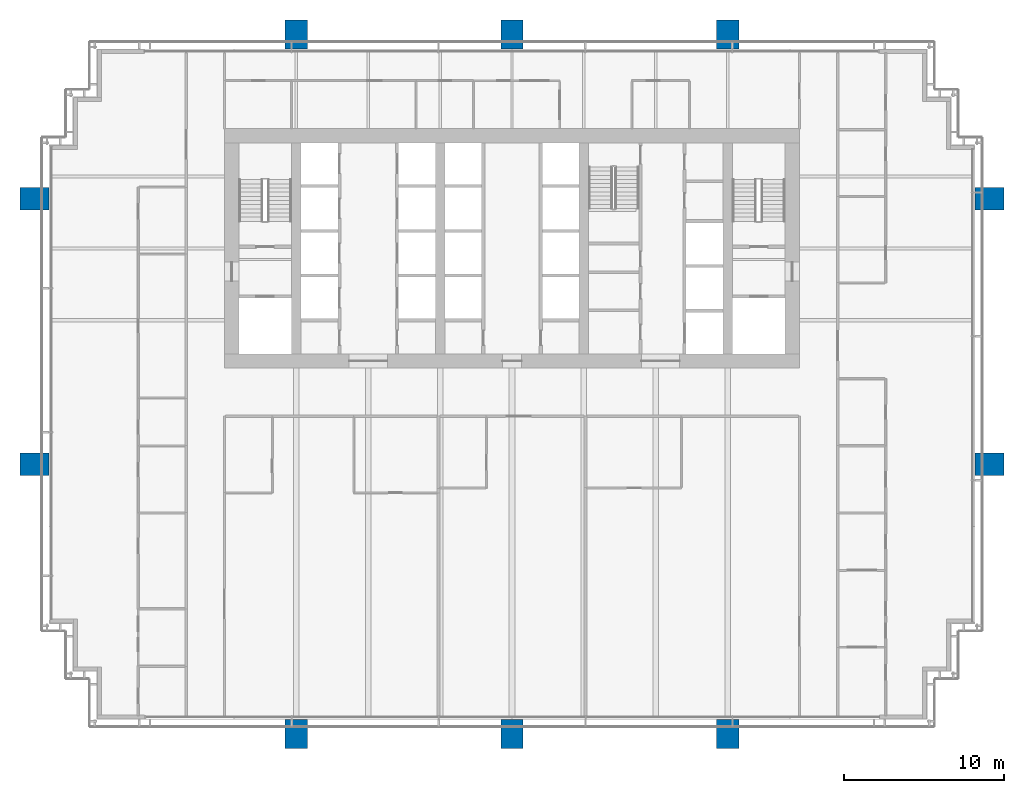
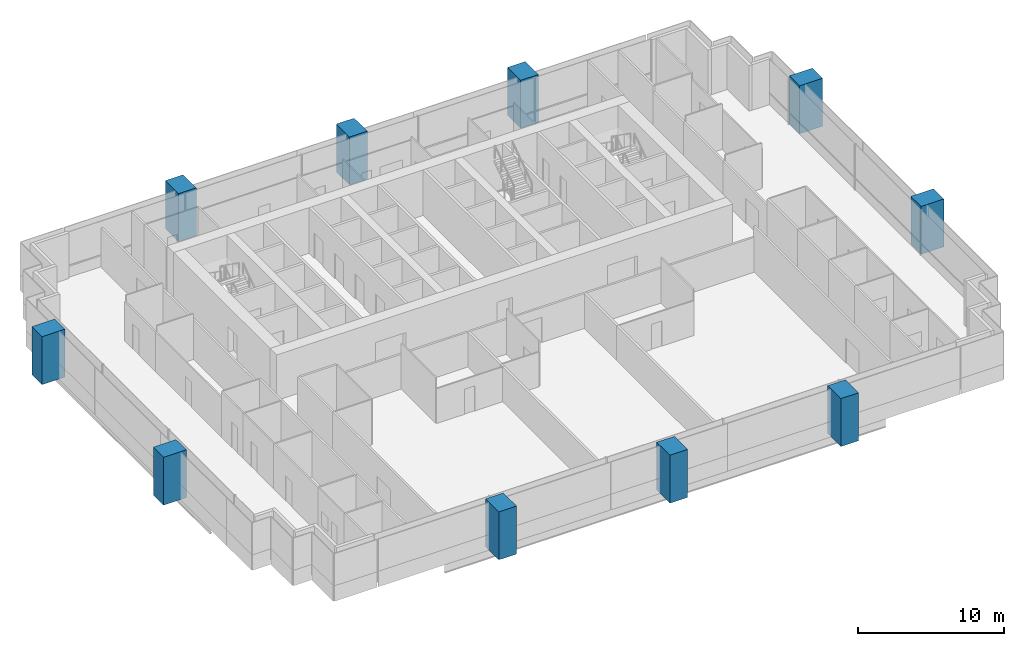
# One storey, part 1 of 17: 10 columns.
"""IFC4 building model written with IfcOpenShell, lengths in metres."""

from ifc_helpers import new_model, si_unit, direction, frame, origin, origin_2d, place, context, subcontext, project, spatial, rectangle, extrude, material, material_profile, profile_set, type_object, element, save


model = new_model("IFC4")

# Units and contexts
model_context = context("Model", 3, precision=1e-05, world=origin(), true_north=direction((0.0, 1.0)))
body_context = subcontext(model_context, "Body", "Model", "MODEL_VIEW")
ifc_project = project(units=[si_unit("LENGTHUNIT", "METRE"), si_unit("AREAUNIT", "SQUARE_METRE"), si_unit("VOLUMEUNIT", "CUBIC_METRE"), si_unit("PLANEANGLEUNIT", "RADIAN"), si_unit("MASSUNIT", "GRAM", prefix="KILO")], contexts=[model_context])

# Site, building, storey
site_placement = place(None, origin())
site = spatial("IfcSite", under=ifc_project, at=site_placement, CompositionType="ELEMENT")
building_placement = place(site_placement, origin())
building = spatial("IfcBuilding", under=site, at=building_placement, Name="Rattan Terrace Tower", CompositionType="ELEMENT")
storey_placement = place(building_placement, frame((0.0, 0.0, 146.10009765625)))
storey = spatial("IfcBuildingStorey", under=building, at=storey_placement, Name="L33", CompositionType="ELEMENT", Elevation=146.10009765625)

# Columns
ifc_material = material(Name="Concrete C50/60", Category="concrete")
ifc_material_profile = material_profile(ifc_material, rectangle(XDim=1.39990234375, YDim=1.800048828125, at=origin_2d()), Name="CFT 1800x1400")
ifc_profile_set = profile_set([ifc_material_profile], Name="Concrete C50/60")
column_type = type_object("IfcColumnType", Name="Frame exoskeleton column CFT 1800x1400", PredefinedType="COLUMN", material=ifc_profile_set)
for number, where, z_axis, x_axis, name in (
    (1, (-13.5, -30.39990234375, -0.2001953125), (0.0, 0.0, 1.0), (1.0, 0.0, 0.0), "exo-L33-001"),
    (2, (0.0, -30.39990234375, -0.2001953125), (0.0, 0.0, 1.0), (1.0, 0.0, 0.0), "exo-L33-002"),
    (3, (13.5, -30.39990234375, -0.2001953125), (0.0, 0.0, 1.0), (1.0, 0.0, 0.0), "exo-L33-003"),
    (4, (-29.89990234375, -13.5, -0.2001953125), (0.0, 0.0, 1.0), (0.0, 1.0, 0.0), "exo-L33-004"),
    (5, (29.89990234375, -13.5, -0.2001953125), (0.0, 0.0, 1.0), (0.0, 1.0, 0.0), "exo-L33-005"),
    (6, (-29.89990234375, 3.10009765625, -0.2001953125), (0.0, 0.0, 1.0), (0.0, 1.0, 0.0), "exo-L33-006"),
    (7, (29.89990234375, 3.10009765625, -0.2001953125), (0.0, 0.0, 1.0), (0.0, 1.0, 0.0), "exo-L33-007"),
    (8, (-13.5, 13.39990234375, -0.2001953125), (0.0, 0.0, 1.0), (1.0, 0.0, 0.0), "exo-L33-008"),
    (9, (0.0, 13.39990234375, -0.2001953125), (0.0, 0.0, 1.0), (1.0, 0.0, 0.0), "exo-L33-009"),
    (10, (13.5, 13.39990234375, -0.2001953125), (0.0, 0.0, 1.0), (1.0, 0.0, 0.0), "exo-L33-010"),
):
    element("IfcColumn", number, at=place(storey_placement, frame(where, z_axis=z_axis, x_axis=x_axis)), inside=storey, type_object=column_type, Name=name, PredefinedType="COLUMN", context=body_context, shape_type="SweptSolid", body=[
        extrude(rectangle(XDim=1.39990234375, YDim=1.800048828125, at=origin_2d()), origin(), (0.0, 0.0, 1.0), 4.0),
    ])

save(model, "model.ifc")
